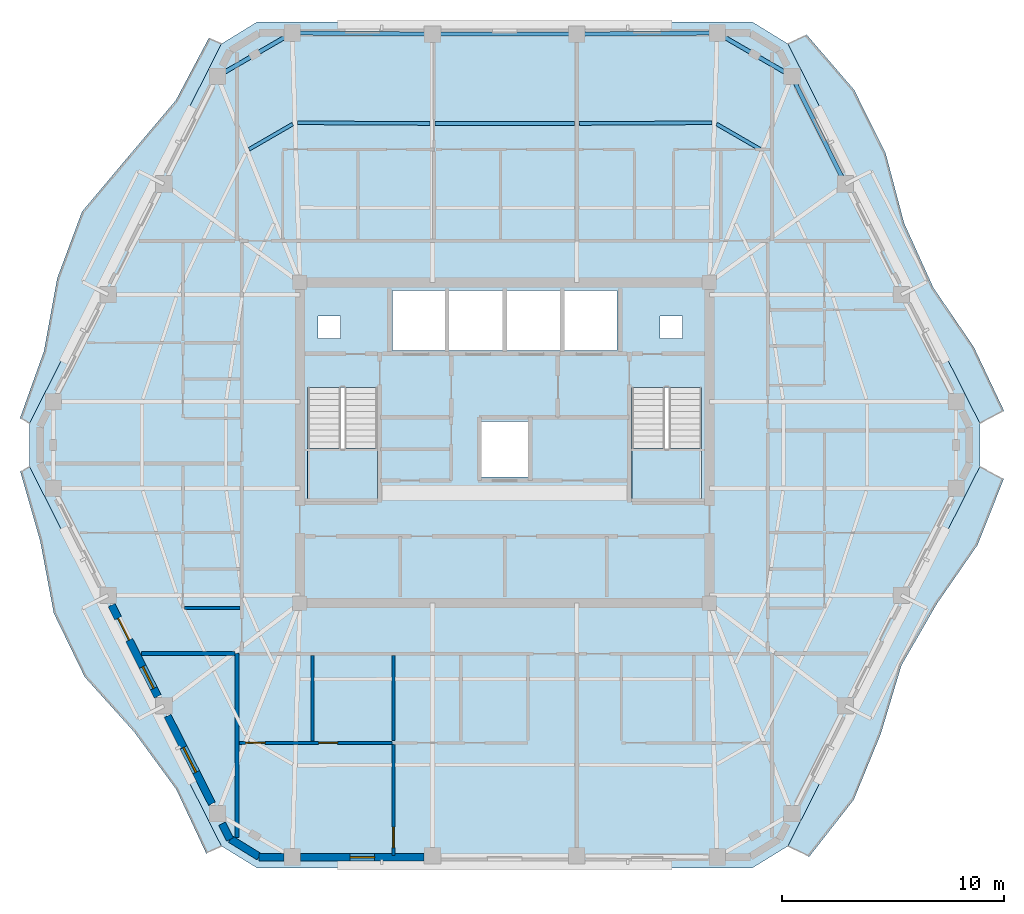
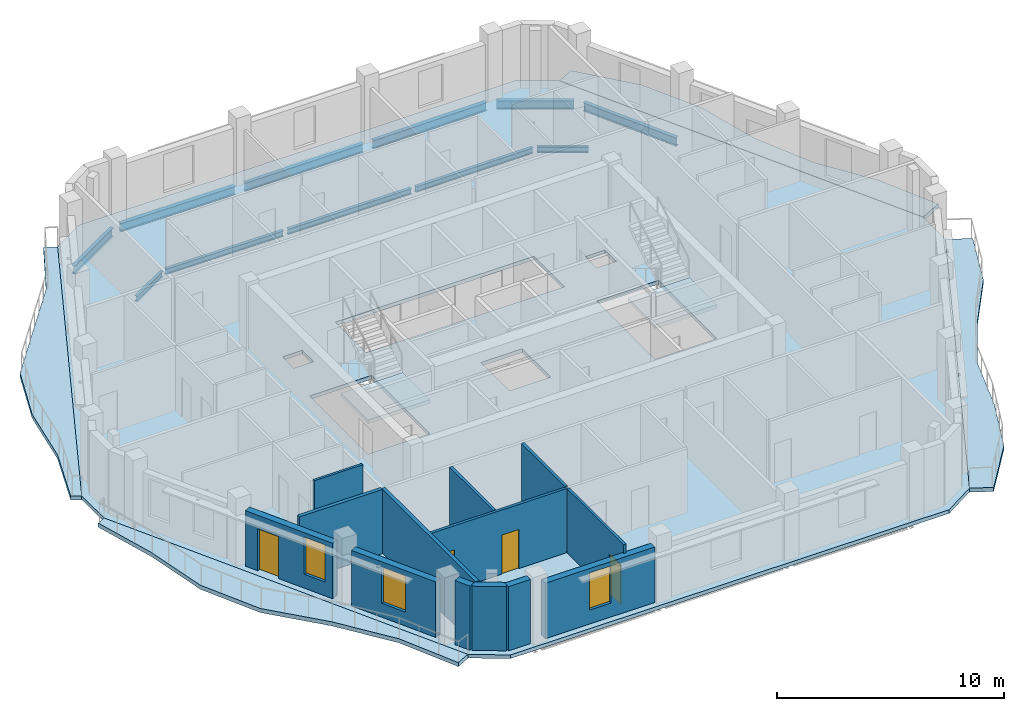
# One storey, part 3 of 11: 13 walls, 11 beams, 7 slabs, 4 doors, 3 windows, 7 openings, 2 elements without a shape of their own.
"""IFC4 building model written with IfcOpenShell, lengths in metres."""

from ifc_helpers import new_model, si_unit, direction, frame, frame_2d, origin, origin_2d, place, context, subcontext, project, spatial, polyline, rectangle, i_section, outline, extrude, material, layer, layer_set, material_profile, profile_set, type_object, element, fill, aggregate, save


model = new_model("IFC4")

# Units and contexts
model_context = context("Model", 3, precision=1e-05, world=origin(), true_north=direction((0.0, 1.0)))
body_context = subcontext(model_context, "Body", "Model", "MODEL_VIEW")
ifc_project = project(units=[si_unit("LENGTHUNIT", "METRE"), si_unit("AREAUNIT", "SQUARE_METRE"), si_unit("VOLUMEUNIT", "CUBIC_METRE"), si_unit("PLANEANGLEUNIT", "RADIAN"), si_unit("MASSUNIT", "GRAM", prefix="KILO")], contexts=[model_context])

# Site, building, storey
site_placement = place(None, origin())
site = spatial("IfcSite", under=ifc_project, at=site_placement, CompositionType="ELEMENT")
building_placement = place(site_placement, origin())
building = spatial("IfcBuilding", under=site, at=building_placement, Name="Cinnabar Lancet Tower", CompositionType="ELEMENT")
storey_placement = place(building_placement, frame((0.0, 0.0, 256.199951171875)))
storey = spatial("IfcBuildingStorey", under=building, at=storey_placement, Name="L68", CompositionType="ELEMENT", Elevation=256.199951171875)

# Beams
ifc_material_1 = material(Name="Structural steel S355", Category="steel")
ifc_material_profile_1 = material_profile(ifc_material_1, i_section(OverallWidth=0.1650390625, OverallDepth=0.303466796875, WebThickness=0.006103515625, FlangeThickness=0.01025390625, FilletRadius=0.0087890625, at=origin_2d()), Name="UKB 305x165x40")
ifc_profile_set_1 = profile_set([ifc_material_profile_1], Name="Structural steel S355")
beam_type_1 = type_object("IfcBeamType", Name="STR-BM-JST-305", PredefinedType="JOIST", material=ifc_profile_set_1)
beam_1_placement = place(storey_placement, frame((43.912109375, 39.1201171875, -0.35205078125), z_axis=(-0.865426285481, 0.501036270542, 0.0), x_axis=(-0.501036270542, -0.865426285481, 0.0)))
element("IfcBeam", 1, at=beam_1_placement, inside=storey, type_object=beam_type_1, Name="L68 Secondary Floor Joist 29", PredefinedType="JOIST", context=body_context, shape_type="SweptSolid", body=[
    extrude(i_section(OverallWidth=0.1650390625, OverallDepth=0.303466796875, WebThickness=0.006103515625, FlangeThickness=0.01025390625, FilletRadius=0.0087890625, at=origin_2d()), origin(), (0.0, 0.0, 1.0), 2.267333984375),
])
beam_2_placement = place(storey_placement, frame((41.741943359375, 40.31494140625, -0.35205078125), z_axis=(-0.999985712428, -0.005345553266, 0.0), x_axis=(0.005345553266, -0.999985712428, 0.0)))
element("IfcBeam", 2, at=beam_2_placement, inside=storey, type_object=beam_type_1, Name="L68 Secondary Floor Joist 30", PredefinedType="JOIST", context=body_context, shape_type="SweptSolid", body=[
    extrude(i_section(OverallWidth=0.1650390625, OverallDepth=0.303466796875, WebThickness=0.006103515625, FlangeThickness=0.01025390625, FilletRadius=0.0087890625, at=origin_2d()), origin(), (0.0, 0.0, 1.0), 5.98291015625),
])
beam_3_placement = place(storey_placement, frame((35.549072265625, 40.281982421875, -0.35205078125), z_axis=(-1.0, 0.0, 0.0), x_axis=(0.0, -1.0, 0.0)))
element("IfcBeam", 3, at=beam_3_placement, inside=storey, type_object=beam_type_1, Name="L68 Secondary Floor Joist 32", PredefinedType="JOIST", context=body_context, shape_type="SweptSolid", body=[
    extrude(i_section(OverallWidth=0.1650390625, OverallDepth=0.303466796875, WebThickness=0.006103515625, FlangeThickness=0.01025390625, FilletRadius=0.0087890625, at=origin_2d()), origin(), (0.0, 0.0, 1.0), 6.298095703125),
])
beam_4_placement = place(storey_placement, frame((29.041015625, 40.282958984375, -0.35205078125), z_axis=(-0.999985712428, 0.005345553266, 0.0), x_axis=(-0.005345553266, -0.999985712428, 0.0)))
element("IfcBeam", 4, at=beam_4_placement, inside=storey, type_object=beam_type_1, Name="L68 Secondary Floor Joist 34", PredefinedType="JOIST", context=body_context, shape_type="SweptSolid", body=[
    extrude(i_section(OverallWidth=0.1650390625, OverallDepth=0.303466796875, WebThickness=0.006103515625, FlangeThickness=0.01025390625, FilletRadius=0.0087890625, at=origin_2d()), origin(), (0.0, 0.0, 1.0), 5.98291015625),
])
beam_5_placement = place(storey_placement, frame((22.85009765625, 40.256103515625, -0.35205078125), z_axis=(-0.865426285481, -0.501036270542, 0.0), x_axis=(0.501036270542, -0.865426285481, 0.0)))
element("IfcBeam", 5, at=beam_5_placement, inside=storey, type_object=beam_type_1, Name="L68 Secondary Floor Joist 36", PredefinedType="JOIST", context=body_context, shape_type="SweptSolid", body=[
    extrude(i_section(OverallWidth=0.1650390625, OverallDepth=0.303466796875, WebThickness=0.006103515625, FlangeThickness=0.01025390625, FilletRadius=0.0087890625, at=origin_2d()), origin(), (0.0, 0.0, 1.0), 2.267333984375),
])
ifc_material_2 = material(Name="Structural steel S355", Category="steel")
ifc_material_profile_2 = material_profile(ifc_material_2, i_section(OverallWidth=0.1904296875, OverallDepth=0.45703125, WebThickness=0.009033203125, FlangeThickness=0.014404296875, FilletRadius=0.01025390625, at=origin_2d()), Name="UKB 457x191x74")
ifc_profile_set_2 = profile_set([ifc_material_profile_2], Name="Structural steel S355")
beam_type_2 = type_object("IfcBeamType", Name="STR-BM-SPN-457", PredefinedType="SPANDREL", material=ifc_profile_set_2)
beam_6_placement = place(storey_placement, frame((47.637939453125, 37.778076171875, -0.427978515625), z_axis=(-0.444372599207, 0.895842058107, 0.0), x_axis=(-0.895842058107, -0.444372599207, 0.0)))
element("IfcBeam", 6, at=beam_6_placement, inside=storey, type_object=beam_type_2, Name="L68 Perimeter Spandrel 11", PredefinedType="SPANDREL", context=body_context, shape_type="SweptSolid", body=[
    extrude(i_section(OverallWidth=0.1904296875, OverallDepth=0.45703125, WebThickness=0.009033203125, FlangeThickness=0.014404296875, FilletRadius=0.01025390625, at=origin_2d()), origin(), (0.0, 0.0, 1.0), 4.91943359375),
])
beam_7_placement = place(storey_placement, frame((45.125, 42.533935546875, -0.427978515625), z_axis=(-0.865199693264, 0.501427453153, 0.0), x_axis=(-0.501427453153, -0.865199693264, 0.0)))
element("IfcBeam", 7, at=beam_7_placement, inside=storey, type_object=beam_type_2, Name="L68 Perimeter Spandrel 12", PredefinedType="SPANDREL", context=body_context, shape_type="SweptSolid", body=[
    extrude(i_section(OverallWidth=0.1904296875, OverallDepth=0.45703125, WebThickness=0.009033203125, FlangeThickness=0.014404296875, FilletRadius=0.01025390625, at=origin_2d()), origin(), (0.0, 0.0, 1.0), 3.39453125),
])
beam_8_placement = place(storey_placement, frame((41.721923828125, 44.35888671875, -0.427978515625), z_axis=(-0.999964782464, -0.008392486634, 0.0), x_axis=(0.008392486634, -0.999964782464, 0.0)))
element("IfcBeam", 8, at=beam_8_placement, inside=storey, type_object=beam_type_2, Name="L68 Perimeter Spandrel 13", PredefinedType="SPANDREL", context=body_context, shape_type="SweptSolid", body=[
    extrude(i_section(OverallWidth=0.1904296875, OverallDepth=0.45703125, WebThickness=0.009033203125, FlangeThickness=0.014404296875, FilletRadius=0.01025390625, at=origin_2d()), origin(), (0.0, 0.0, 1.0), 5.818115234375),
])
beam_9_placement = place(storey_placement, frame((35.404052734375, 44.30810546875, -0.427978515625), z_axis=(-1.0, 0.0, 0.0), x_axis=(0.0, -1.0, 0.0)))
element("IfcBeam", 9, at=beam_9_placement, inside=storey, type_object=beam_type_2, Name="L68 Perimeter Spandrel 14", PredefinedType="SPANDREL", context=body_context, shape_type="SweptSolid", body=[
    extrude(i_section(OverallWidth=0.1904296875, OverallDepth=0.45703125, WebThickness=0.009033203125, FlangeThickness=0.014404296875, FilletRadius=0.01025390625, at=origin_2d()), origin(), (0.0, 0.0, 1.0), 6.008056640625),
])
beam_10_placement = place(storey_placement, frame((28.89599609375, 44.31005859375, -0.427978515625), z_axis=(-0.999964785419, 0.008392134492, 0.0), x_axis=(-0.008392134492, -0.999964785419, 0.0)))
element("IfcBeam", 10, at=beam_10_placement, inside=storey, type_object=beam_type_2, Name="L68 Perimeter Spandrel 15", PredefinedType="SPANDREL", context=body_context, shape_type="SweptSolid", body=[
    extrude(i_section(OverallWidth=0.1904296875, OverallDepth=0.45703125, WebThickness=0.009033203125, FlangeThickness=0.014404296875, FilletRadius=0.01025390625, at=origin_2d()), origin(), (0.0, 0.0, 1.0), 5.818359375),
])
beam_11_placement = place(storey_placement, frame((22.612060546875, 44.236083984375, -0.427978515625), z_axis=(-0.865199693264, -0.501427453153, 0.0), x_axis=(0.501427453153, -0.865199693264, 0.0)))
element("IfcBeam", 11, at=beam_11_placement, inside=storey, type_object=beam_type_2, Name="L68 Perimeter Spandrel 16", PredefinedType="SPANDREL", context=body_context, shape_type="SweptSolid", body=[
    extrude(i_section(OverallWidth=0.1904296875, OverallDepth=0.45703125, WebThickness=0.009033203125, FlangeThickness=0.014404296875, FilletRadius=0.01025390625, at=origin_2d()), origin(), (0.0, 0.0, 1.0), 3.39453125),
])

# Stair, slab
ifc_material_3 = material(Name="Concrete C40/50", Category="concrete")
stair_type = type_object("IfcStairType", Name="ST-CORE", PredefinedType="HALF_TURN_STAIR", material=ifc_material_3)
stair_1_placement = place(storey_placement, origin())
stair_1 = element("IfcStair", 12, at=stair_1_placement, inside=storey, type_object=stair_type, Name="L68 ST-1", PredefinedType="HALF_TURN_STAIR")
ifc_material_4 = material(Name="Concrete C40/50", Category="concrete")
ifc_layer_1 = layer(ifc_material_4, 0.199951171875)
ifc_layer_set_1 = layer_set([ifc_layer_1], Name="Concrete C40/50")
slab_type_1 = type_object("IfcSlabType", Name="LANDING-CORE", PredefinedType="LANDING", material=ifc_layer_set_1)
slab_1_placement = place(storey_placement, frame((0.0, 0.0, 1.625)))
slab_1 = element("IfcSlab", 13, at=slab_1_placement, type_object=slab_type_1, Name="ST-1 landing 1", PredefinedType="LANDING", context=body_context, shape_type="SweptSolid", body=[
    extrude(outline(polyline([(23.52490234375, 25.64990234375), (23.52490234375, 23.25), (26.675048828125, 23.25), (26.675048828125, 25.64990234375), (23.52490234375, 25.64990234375)])), origin(), (0.0, 0.0, 1.0), 0.199951171875),
])
aggregate(stair_1, [slab_1])

stair_2_placement = place(storey_placement, origin())
stair_2 = element("IfcStair", 14, at=stair_2_placement, inside=storey, type_object=stair_type, Name="L68 ST-2", PredefinedType="HALF_TURN_STAIR")
slab_2_placement = place(storey_placement, frame((0.0, 0.0, 1.625)))
slab_2 = element("IfcSlab", 15, at=slab_2_placement, type_object=slab_type_1, Name="ST-2 landing 1", PredefinedType="LANDING", context=body_context, shape_type="SweptSolid", body=[
    extrude(outline(polyline([(38.125, 25.64990234375), (38.125, 23.25), (41.27490234375, 23.25), (41.27490234375, 25.64990234375), (38.125, 25.64990234375)])), origin(), (0.0, 0.0, 1.0), 0.199951171875),
])
aggregate(stair_2, [slab_2])

# Slabs
ifc_material_5 = material(Name="Concrete C40/50", Category="concrete")
ifc_layer_2 = layer(ifc_material_5, 0.199951171875)
ifc_layer_set_2 = layer_set([ifc_layer_2], Name="Concrete C40/50")
slab_type_2 = type_object("IfcSlabType", Name="STR-SLB-FLR-200", PredefinedType="FLOOR", material=ifc_layer_set_2)
slab_3_placement = place(storey_placement, frame((0.0, 0.0, -0.199951171875)))
element("IfcSlab", 16, at=slab_3_placement, inside=storey, type_object=slab_type_2, Name="L68 Structural Floor Slab", PredefinedType="FLOOR", context=body_context, shape_type="SweptSolid", body=[
    extrude(outline(polyline([(19.638916015625, 7.73193359375), (21.236083984375, 6.75), (43.56396484375, 6.75), (45.160888671875, 7.73193359375), (53.802978515625, 24.818115234375), (53.802978515625, 26.781982421875), (45.160888671875, 43.867919921875), (43.56396484375, 44.85009765625), (21.236083984375, 44.85009765625), (19.638916015625, 43.867919921875), (10.9970703125, 26.781982421875), (10.9970703125, 24.818115234375), (19.638916015625, 7.73193359375)]), holes=[polyline([(23.52490234375, 23.25), (26.675048828125, 23.25), (26.675048828125, 28.3994140625), (23.52490234375, 28.3994140625), (23.52490234375, 23.25)]), polyline([(38.125, 23.25), (41.27490234375, 23.25), (41.27490234375, 28.3994140625), (38.125, 28.3994140625), (38.125, 23.25)]), polyline([(27.35009765625, 30.050048828125), (37.449951171875, 30.050048828125), (37.449951171875, 32.75), (27.35009765625, 32.75), (27.35009765625, 30.050048828125)]), polyline([(31.35009765625, 24.35009765625), (33.449951171875, 24.35009765625), (33.449951171875, 26.85009765625), (31.35009765625, 26.85009765625), (31.35009765625, 24.35009765625)]), polyline([(24.0, 30.60009765625), (25.0, 30.60009765625), (25.0, 31.60009765625), (24.0, 31.60009765625), (24.0, 30.60009765625)]), polyline([(39.39990234375, 30.60009765625), (40.39990234375, 30.60009765625), (40.39990234375, 31.60009765625), (39.39990234375, 31.60009765625), (39.39990234375, 30.60009765625)])]), origin(), (0.0, 0.0, 1.0), 0.199951171875),
])
ifc_material_6 = material(Name="Concrete C45/55", Category="concrete")
ifc_layer_3 = layer(ifc_material_6, 0.219970703125)
ifc_layer_set_3 = layer_set([ifc_layer_3], Name="Concrete C45/55")
slab_type_3 = type_object("IfcSlabType", Name="STR-SLB-WAV-220", PredefinedType="FLOOR", material=ifc_layer_set_3)
slab_4_placement = place(storey_placement, frame((0.0, 0.0, -0.219970703125)))
element("IfcSlab", 17, at=slab_4_placement, inside=storey, type_object=slab_type_3, Name="L68 Face 2 Undulating Wave Balcony Slab", PredefinedType="FLOOR", context=body_context, shape_type="SweptSolid", body=[
    extrude(outline(polyline([(45.160888671875, 7.73193359375), (46.114990234375, 7.25), (48.118896484375, 9.81201171875), (49.3359375, 12.77294921875), (50.27294921875, 15.875), (51.866943359375, 18.64501953125), (53.699951171875, 21.2939453125), (54.882080078125, 24.27197265625), (53.802978515625, 24.818115234375), (45.160888671875, 7.73193359375)])), origin(), (0.0, 0.0, 1.0), 0.219970703125),
])
slab_5_placement = place(storey_placement, frame((0.0, 0.0, -0.219970703125)))
element("IfcSlab", 18, at=slab_5_placement, inside=storey, type_object=slab_type_3, Name="L68 Face 3 Undulating Wave Balcony Slab", PredefinedType="FLOOR", context=body_context, shape_type="SweptSolid", body=[
    extrude(outline(polyline([(53.802978515625, 26.781982421875), (54.89404296875, 27.333984375), (53.527099609375, 30.218994140625), (51.714111328125, 32.8779296875), (50.39404296875, 35.785888671875), (49.56005859375, 38.93994140625), (48.139892578125, 41.799072265625), (45.992919921875, 44.2890625), (45.160888671875, 43.867919921875), (53.802978515625, 26.781982421875)])), origin(), (0.0, 0.0, 1.0), 0.219970703125),
])
slab_6_placement = place(storey_placement, frame((0.0, 0.0, -0.219970703125)))
element("IfcSlab", 19, at=slab_6_placement, inside=storey, type_object=slab_type_3, Name="L68 Face 5 Undulating Wave Balcony Slab", PredefinedType="FLOOR", context=body_context, shape_type="SweptSolid", body=[
    extrude(outline(polyline([(19.638916015625, 43.867919921875), (19.08203125, 44.14892578125), (17.587890625, 41.3291015625), (15.471923828125, 38.822998046875), (13.362060546875, 36.31396484375), (12.240966796875, 33.304931640625), (11.64599609375, 30.030029296875), (10.56494140625, 27.0), (10.9970703125, 26.781982421875), (19.638916015625, 43.867919921875)])), origin(), (0.0, 0.0, 1.0), 0.219970703125),
])
slab_7_placement = place(storey_placement, frame((0.0, 0.0, -0.219970703125)))
element("IfcSlab", 20, at=slab_7_placement, inside=storey, type_object=slab_type_3, Name="L68 Face 6 Undulating Wave Balcony Slab", PredefinedType="FLOOR", context=body_context, shape_type="SweptSolid", body=[
    extrude(outline(polyline([(10.9970703125, 24.818115234375), (10.577880859375, 24.60595703125), (11.47412109375, 21.48291015625), (12.089111328125, 18.218017578125), (13.48388671875, 15.346923828125), (15.696044921875, 12.889892578125), (17.60888671875, 10.281005859375), (18.9609375, 7.388916015625), (19.638916015625, 7.73193359375), (10.9970703125, 24.818115234375)])), origin(), (0.0, 0.0, 1.0), 0.219970703125),
])

# Walls
ifc_material_7 = material(Name="Fire-rated twin-frame acoustic drywall", Category="gypsum")
ifc_layer_4 = layer(ifc_material_7, 0.179931640625)
ifc_layer_set_4 = layer_set([ifc_layer_4], Name="Fire-rated twin-frame acoustic drywall")
wall_type_1 = type_object("IfcWallType", Name="ARC-WL-PARTY-180", PredefinedType="PARTITIONING", material=ifc_layer_set_4)
wall_1_placement = place(storey_placement, frame((20.35009765625, 8.118896484375, 0.0), z_axis=(0.0, 0.0, 1.0), x_axis=(0.0, 1.0, 0.0)))
element("IfcWall", 21, at=wall_1_placement, inside=storey, type_object=wall_type_1, Name="PW-L68-SPTY-204", PredefinedType="PARTITIONING", context=body_context, shape_type="SweptSolid", body=[
    extrude(rectangle(XDim=8.281005859375, YDim=0.179931640625, at=frame_2d((4.140625, 0.0))), origin(), (0.0, 0.0, 1.0), 3.449951171875),
])
wall_2_placement = place(storey_placement, frame((16.033935546875, 16.39990234375, 0.0), z_axis=(0.0, 0.0, 1.0), x_axis=(1.0, 0.0, 0.0)))
element("IfcWall", 22, at=wall_2_placement, inside=storey, type_object=wall_type_1, Name="PW-L68-WSB", PredefinedType="PARTITIONING", context=body_context, shape_type="SweptSolid", body=[
    extrude(rectangle(XDim=4.220947265625, YDim=0.179931640625, at=frame_2d((2.1103515625, 0.0))), origin(), (0.0, 0.0, 1.0), 3.449951171875),
])

# Wall, opening, door
ifc_material_8 = material(Name="Gypsum plasterboard stud partition", Category="gypsum")
ifc_layer_5 = layer(ifc_material_8, 0.125)
ifc_layer_set_5 = layer_set([ifc_layer_5], Name="Gypsum plasterboard stud partition")
wall_type_2 = type_object("IfcWallType", Name="ARC-WL-UNIT-125", PredefinedType="PARTITIONING", material=ifc_layer_set_5)
wall_3_placement = place(storey_placement, frame((27.389892578125, 7.31494140625, 0.0), z_axis=(0.0, 0.0, 1.0), x_axis=(0.0, 1.0, 0.0)))
wall_3 = element("IfcWall", 23, at=wall_3_placement, inside=storey, type_object=wall_type_2, Name="UW-L68-S01-MBW", PredefinedType="PARTITIONING", context=body_context, shape_type="SweptSolid", body=[
    extrude(rectangle(XDim=4.990966796875, YDim=0.125, at=frame_2d((2.49560546875, 0.0))), origin(), (0.0, 0.0, 1.0), 3.449951171875),
])
opening_1_placement = place(wall_3_placement, frame((0.35009765625, 0.0, 0.0)))
opening_1 = element("IfcOpeningElement", 24, at=opening_1_placement, cuts=wall_3, Name="Opening RD-01", PredefinedType="OPENING", context=body_context, shape_type="SweptSolid", body=[
    extrude(rectangle(XDim=0.919921875, YDim=2.14990234375, at=frame_2d((0.4599609375, 1.074951171875))), frame((0.0, 0.072509765625, 0.0), z_axis=(0.0, -1.0, 0.0), x_axis=(1.0, 0.0, 0.0)), (0.0, 0.0, 1.0), 0.14501953125),
])
ifc_material_9 = material(Name="Engineered timber bedroom door", Category="wood")
door_type_1 = type_object("IfcDoorType", Name="ARC-DR-ROOM", OperationType="NOTDEFINED", PredefinedType="DOOR", material=ifc_material_9)
door_1_placement = place(opening_1_placement, origin())
door_1 = element("IfcDoor", 25, at=door_1_placement, inside=storey, type_object=door_type_1, Name="DR-L68-S01-MBD", OperationType="SINGLE_SWING_LEFT", OverallHeight=2.14990234375, OverallWidth=0.919921875, PredefinedType="DOOR", context=body_context, shape_type="SweptSolid", body=[
    extrude(rectangle(XDim=0.919921875, YDim=2.14990234375, at=frame_2d((0.4599609375, 1.074951171875))), frame((0.0, 0.02490234375, 0.0), z_axis=(0.0, -1.0, 0.0), x_axis=(1.0, 0.0, 0.0)), (0.0, 0.0, 1.0), 0.050048828125),
])
fill(opening_1, door_1)

# Wall
wall_4_placement = place(storey_placement, frame((17.985107421875, 18.449951171875, 0.0), z_axis=(0.0, 0.0, 1.0), x_axis=(1.0, 0.0, 0.0)))
element("IfcWall", 26, at=wall_4_placement, inside=storey, type_object=wall_type_2, Name="UW-L68-W01-FOYN", PredefinedType="PARTITIONING", context=body_context, shape_type="SweptSolid", body=[
    extrude(rectangle(XDim=2.47998046875, YDim=0.125, at=frame_2d((1.239990234375, 0.0))), origin(), (0.0, 0.0, 1.0), 3.449951171875),
])

# Wall, openings, doors
ifc_material_10 = material(Name="Moisture-resistant cement-board plumbing wall", Category="masonry")
ifc_layer_6 = layer(ifc_material_10, 0.139892578125)
ifc_layer_set_6 = layer_set([ifc_layer_6], Name="Moisture-resistant cement-board plumbing wall")
wall_type_3 = type_object("IfcWallType", Name="ARC-WL-WET-140", PredefinedType="PLUMBINGWALL", material=ifc_layer_set_6)
wall_5_placement = place(storey_placement, frame((20.445068359375, 12.381103515625, 0.0), z_axis=(0.0, 0.0, 1.0), x_axis=(1.0, 0.0, 0.0)))
wall_5 = element("IfcWall", 27, at=wall_5_placement, inside=storey, type_object=wall_type_3, Name="UW-L68-S01-SPM", PredefinedType="PLUMBINGWALL", context=body_context, shape_type="SweptSolid", body=[
    extrude(rectangle(XDim=6.869873046875, YDim=0.139892578125, at=frame_2d((3.43505859375, 0.0))), origin(), (0.0, 0.0, 1.0), 3.449951171875),
])
opening_2_placement = place(wall_5_placement, frame((0.280029296875, 0.0, 0.0)))
opening_2 = element("IfcOpeningElement", 28, at=opening_2_placement, cuts=wall_5, Name="Opening RD-02", PredefinedType="OPENING", context=body_context, shape_type="SweptSolid", body=[
    extrude(rectangle(XDim=0.8798828125, YDim=2.14990234375, at=frame_2d((0.43994140625, 1.074951171875))), frame((0.0, 0.079833984375, 0.0), z_axis=(0.0, -1.0, 0.0), x_axis=(1.0, 0.0, 0.0)), (0.0, 0.0, 1.0), 0.159912109375),
])
opening_3_placement = place(wall_5_placement, frame((3.573974609375, 0.0, 0.0)))
opening_3 = element("IfcOpeningElement", 29, at=opening_3_placement, cuts=wall_5, Name="Opening BD-01", PredefinedType="OPENING", context=body_context, shape_type="SweptSolid", body=[
    extrude(rectangle(XDim=0.860107421875, YDim=2.10009765625, at=frame_2d((0.43017578125, 1.050048828125))), frame((0.0, 0.079833984375, 0.0), z_axis=(0.0, -1.0, 0.0), x_axis=(1.0, 0.0, 0.0)), (0.0, 0.0, 1.0), 0.159912109375),
])
ifc_material_11 = material(Name="Moisture-resistant timber bathroom door", Category="wood")
door_type_2 = type_object("IfcDoorType", Name="ARC-DR-BATH", OperationType="NOTDEFINED", PredefinedType="DOOR", material=ifc_material_11)
door_2_placement = place(opening_3_placement, origin())
door_2 = element("IfcDoor", 30, at=door_2_placement, inside=storey, type_object=door_type_2, Name="DR-L68-S01-ENS", OperationType="SINGLE_SWING_LEFT", OverallHeight=2.10009765625, OverallWidth=0.860107421875, PredefinedType="DOOR", context=body_context, shape_type="SweptSolid", body=[
    extrude(rectangle(XDim=0.860107421875, YDim=2.10009765625, at=frame_2d((0.43017578125, 1.050048828125))), frame((0.0, 0.02490234375, 0.0), z_axis=(0.0, -1.0, 0.0), x_axis=(1.0, 0.0, 0.0)), (0.0, 0.0, 1.0), 0.050048828125),
])
fill(opening_3, door_2)
ifc_material_12 = material(Name="Engineered timber study door", Category="wood")
door_type_3 = type_object("IfcDoorType", Name="ARC-DR-STUDY", OperationType="NOTDEFINED", PredefinedType="DOOR", material=ifc_material_12)
door_3_placement = place(opening_2_placement, origin())
door_3 = element("IfcDoor", 31, at=door_3_placement, inside=storey, type_object=door_type_3, Name="DR-L68-S01-ENS-WDR", OperationType="SINGLE_SWING_RIGHT", OverallHeight=2.14990234375, OverallWidth=0.8798828125, PredefinedType="DOOR", context=body_context, shape_type="SweptSolid", body=[
    extrude(rectangle(XDim=0.8798828125, YDim=2.14990234375, at=frame_2d((0.43994140625, 1.074951171875))), frame((0.0, 0.02490234375, 0.0), z_axis=(0.0, -1.0, 0.0), x_axis=(1.0, 0.0, 0.0)), (0.0, 0.0, 1.0), 0.050048828125),
])
fill(opening_2, door_3)

# Walls
wall_6_placement = place(storey_placement, frame((27.389892578125, 12.486083984375, 0.0), z_axis=(0.0, 0.0, 1.0), x_axis=(0.0, 1.0, 0.0)))
element("IfcWall", 32, at=wall_6_placement, inside=storey, type_object=wall_type_3, Name="UW-L68-S01-ENSW", PredefinedType="PLUMBINGWALL", context=body_context, shape_type="SweptSolid", body=[
    extrude(rectangle(XDim=3.828857421875, YDim=0.139892578125, at=frame_2d((1.91455078125, 0.0))), origin(), (0.0, 0.0, 1.0), 3.449951171875),
])
wall_7_placement = place(storey_placement, frame((23.739013671875, 12.466064453125, 0.0), z_axis=(0.0, 0.0, 1.0), x_axis=(0.0, 1.0, 0.0)))
element("IfcWall", 33, at=wall_7_placement, inside=storey, type_object=wall_type_3, Name="UW-L68-S01-ENS-WDV", PredefinedType="PLUMBINGWALL", context=body_context, shape_type="SweptSolid", body=[
    extrude(rectangle(XDim=3.848876953125, YDim=0.139892578125, at=frame_2d((1.92431640625, 0.0))), origin(), (0.0, 0.0, 1.0), 3.449951171875),
])
ifc_material_13 = material(Name="Cinnabar red clay brick", Category="masonry")
ifc_layer_7 = layer(ifc_material_13, 0.340087890625)
ifc_layer_set_7 = layer_set([ifc_layer_7], Name="Cinnabar red clay brick")
wall_type_4 = type_object("IfcWallType", Name="ENV-WL-BRK-RED-340", PredefinedType="STANDARD", material=ifc_layer_set_7)
wall_8_placement = place(storey_placement, frame((20.047119140625, 8.044921875, 0.0), z_axis=(0.0, 0.0, 1.0), x_axis=(0.851680557619, -0.52406128246, 0.0)))
element("IfcWall", 34, at=wall_8_placement, inside=storey, type_object=wall_type_4, Name="L68 Chamfered Corner Brick Pier 1.1", PredefinedType="STANDARD", context=body_context, shape_type="SweptSolid", body=[
    extrude(rectangle(XDim=1.507568359375, YDim=0.340087890625, at=frame_2d((0.75390625, 0.0))), origin(), (0.0, 0.0, 1.0), 3.449951171875),
])
wall_9_placement = place(storey_placement, frame((21.325927734375, 7.22998046875, 0.0), z_axis=(0.0, 0.0, 1.0), x_axis=(1.0, 0.0, 0.0)))
element("IfcWall", 35, at=wall_9_placement, inside=storey, type_object=wall_type_4, Name="L68 Face 1 Masonry Bay Wall 1", PredefinedType="STANDARD", context=body_context, shape_type="SweptSolid", body=[
    extrude(rectangle(XDim=1.123046875, YDim=0.340087890625, at=frame_2d((0.5615234375, 0.0))), origin(), (0.0, 0.0, 1.0), 3.449951171875),
])

# Wall, opening, window
wall_10_placement = place(storey_placement, frame((23.20703125, 7.22998046875, 0.0), z_axis=(0.0, 0.0, 1.0), x_axis=(1.0, 0.0, 0.0)))
wall_10 = element("IfcWall", 36, at=wall_10_placement, inside=storey, type_object=wall_type_4, Name="L68 Face 1 Masonry Bay Wall 2", PredefinedType="STANDARD", context=body_context, shape_type="SweptSolid", body=[
    extrude(rectangle(XDim=5.56005859375, YDim=0.340087890625, at=frame_2d((2.780029296875, 0.0))), origin(), (0.0, 0.0, 1.0), 2.983154296875),
])
opening_4_placement = place(wall_10_placement, frame((2.22998046875, 0.0, 0.75)))
opening_4 = element("IfcOpeningElement", 37, at=opening_4_placement, cuts=wall_10, Name="Opening WN-04", PredefinedType="OPENING", context=body_context, shape_type="SweptSolid", body=[
    extrude(rectangle(XDim=1.10009765625, YDim=2.0, at=frame_2d((0.550048828125, 1.0))), frame((0.0, 0.179931640625, 0.0), z_axis=(0.0, -1.0, 0.0), x_axis=(1.0, 0.0, 0.0)), (0.0, 0.0, 1.0), 0.360107421875),
])
ifc_material_14 = material(Name="Thermally broken bronze-anodized aluminium tall lancet window", Category="aluminium")
window_type_1 = type_object("IfcWindowType", Name="ENV-WN-LANCET-1100", PartitioningType="SINGLE_PANEL", PredefinedType="WINDOW", material=ifc_material_14)
window_1_placement = place(opening_4_placement, origin())
window_1 = element("IfcWindow", 38, at=window_1_placement, inside=storey, type_object=window_type_1, Name="L68 Face 1 Gothic Lancet Window 2", OverallHeight=2.0, OverallWidth=1.10009765625, PartitioningType="SINGLE_PANEL", PredefinedType="WINDOW", context=body_context, shape_type="SweptSolid", body=[
    extrude(rectangle(XDim=1.10009765625, YDim=2.0, at=frame_2d((0.550048828125, 1.0))), frame((0.0, 0.030029296875, 0.0), z_axis=(0.0, -1.0, 0.0), x_axis=(1.0, 0.0, 0.0)), (0.0, 0.0, 1.0), 0.06005859375),
])
fill(opening_4, window_1)

# Wall, openings, door, window
wall_11_placement = place(storey_placement, frame((14.69091796875, 18.576904296875, 0.0), z_axis=(0.0, 0.0, 1.0), x_axis=(0.451581819983, -0.892229712496, 0.0)))
wall_11 = element("IfcWall", 39, at=wall_11_placement, inside=storey, type_object=wall_type_4, Name="L68 Face 6 Masonry Bay Wall 3", PredefinedType="STANDARD", context=body_context, shape_type="SweptSolid", body=[
    extrude(rectangle(XDim=4.599609375, YDim=0.340087890625, at=frame_2d((2.2998046875, 0.0))), origin(), (0.0, 0.0, 1.0), 2.983154296875),
])
opening_5_placement = place(wall_11_placement, frame((0.654052734375, 0.0, 0.0)))
opening_5 = element("IfcOpeningElement", 40, at=opening_5_placement, cuts=wall_11, Name="Opening TD-01", PredefinedType="OPENING", context=body_context, shape_type="SweptSolid", body=[
    extrude(rectangle(XDim=1.10009765625, YDim=2.25, at=frame_2d((0.550048828125, 1.125))), frame((0.0, 0.179931640625, 0.0), z_axis=(0.0, -1.0, 0.0), x_axis=(1.0, 0.0, 0.0)), (0.0, 0.0, 1.0), 0.360107421875),
])
opening_6_placement = place(wall_11_placement, frame((3.10009765625, 0.0, 0.75)))
opening_6 = element("IfcOpeningElement", 41, at=opening_6_placement, cuts=wall_11, Name="Opening WN-04", PredefinedType="OPENING", context=body_context, shape_type="SweptSolid", body=[
    extrude(rectangle(XDim=1.10009765625, YDim=2.0, at=frame_2d((0.550048828125, 1.0))), frame((0.0, 0.179931640625, 0.0), z_axis=(0.0, -1.0, 0.0), x_axis=(1.0, 0.0, 0.0)), (0.0, 0.0, 1.0), 0.360107421875),
])
ifc_material_15 = material(Name="Thermally broken low-E glazed balcony terrace door", Category="wood")
door_type_4 = type_object("IfcDoorType", Name="ARC-DR-BALC", OperationType="NOTDEFINED", PredefinedType="DOOR", material=ifc_material_15)
door_4_placement = place(opening_5_placement, origin())
door_4 = element("IfcDoor", 42, at=door_4_placement, inside=storey, type_object=door_type_4, Name="L68 Face 6 Glazed Terrace Door", OperationType="SINGLE_SWING_RIGHT", OverallHeight=2.25, OverallWidth=1.10009765625, PredefinedType="DOOR", context=body_context, shape_type="SweptSolid", body=[
    extrude(rectangle(XDim=1.10009765625, YDim=2.25, at=frame_2d((0.550048828125, 1.125))), frame((0.0, 0.02490234375, 0.0), z_axis=(0.0, -1.0, 0.0), x_axis=(1.0, 0.0, 0.0)), (0.0, 0.0, 1.0), 0.050048828125),
])
fill(opening_5, door_4)
window_2_placement = place(opening_6_placement, origin())
window_2 = element("IfcWindow", 43, at=window_2_placement, inside=storey, type_object=window_type_1, Name="L68 Split-Bay Gothic Lancet Window 249", OverallHeight=2.0, OverallWidth=1.10009765625, PartitioningType="SINGLE_PANEL", PredefinedType="WINDOW", context=body_context, shape_type="SweptSolid", body=[
    extrude(rectangle(XDim=1.10009765625, YDim=2.0, at=frame_2d((0.550048828125, 1.0))), frame((0.0, 0.030029296875, 0.0), z_axis=(0.0, -1.0, 0.0), x_axis=(1.0, 0.0, 0.0)), (0.0, 0.0, 1.0), 0.06005859375),
])
fill(opening_6, window_2)

# Wall, opening, window
wall_12_placement = place(storey_placement, frame((17.214111328125, 13.590087890625, 0.0), z_axis=(0.0, 0.0, 1.0), x_axis=(0.451440846853, -0.892301048858, 0.0)))
wall_12 = element("IfcWall", 44, at=wall_12_placement, inside=storey, type_object=wall_type_4, Name="L68 Face 6 Masonry Bay Wall 4", PredefinedType="STANDARD", context=body_context, shape_type="SweptSolid", body=[
    extrude(rectangle(XDim=4.43017578125, YDim=0.340087890625, at=frame_2d((2.215087890625, 0.0))), origin(), (0.0, 0.0, 1.0), 2.983154296875),
])
opening_7_placement = place(wall_12_placement, frame((1.590087890625, 0.0, 0.75)))
opening_7 = element("IfcOpeningElement", 45, at=opening_7_placement, cuts=wall_12, Name="Opening WN-03", PredefinedType="OPENING", context=body_context, shape_type="SweptSolid", body=[
    extrude(rectangle(XDim=1.25, YDim=1.949951171875, at=frame_2d((0.625, 0.97509765625))), frame((0.0, 0.179931640625, 0.0), z_axis=(0.0, -1.0, 0.0), x_axis=(1.0, 0.0, 0.0)), (0.0, 0.0, 1.0), 0.360107421875),
])
ifc_material_16 = material(Name="Thermally broken bronze-anodized aluminium low-E double glazing", Category="aluminium")
window_type_2 = type_object("IfcWindowType", Name="ENV-WN-LANCET-1250", PartitioningType="SINGLE_PANEL", PredefinedType="WINDOW", material=ifc_material_16)
window_3_placement = place(opening_7_placement, origin())
window_3 = element("IfcWindow", 46, at=window_3_placement, inside=storey, type_object=window_type_2, Name="L68 Face 6 Gothic Lancet Window 4", OverallHeight=1.949951171875, OverallWidth=1.25, PartitioningType="SINGLE_PANEL", PredefinedType="WINDOW", context=body_context, shape_type="SweptSolid", body=[
    extrude(rectangle(XDim=1.25, YDim=1.949951171875, at=frame_2d((0.625, 0.97509765625))), frame((0.0, 0.030029296875, 0.0), z_axis=(0.0, -1.0, 0.0), x_axis=(1.0, 0.0, 0.0)), (0.0, 0.0, 1.0), 0.06005859375),
])
fill(opening_7, window_3)

# Wall
wall_13_placement = place(storey_placement, frame((19.669921875, 8.735107421875, 0.0), z_axis=(0.0, 0.0, 1.0), x_axis=(0.451404919072, -0.89231922485, 0.0)))
element("IfcWall", 47, at=wall_13_placement, inside=storey, type_object=wall_type_4, Name="L68 Face 6 Masonry Bay Wall 5", PredefinedType="STANDARD", context=body_context, shape_type="SweptSolid", body=[
    extrude(rectangle(XDim=0.791259765625, YDim=0.340087890625, at=frame_2d((0.3955078125, 0.0))), origin(), (0.0, 0.0, 1.0), 3.449951171875),
])

save(model, "model.ifc")
